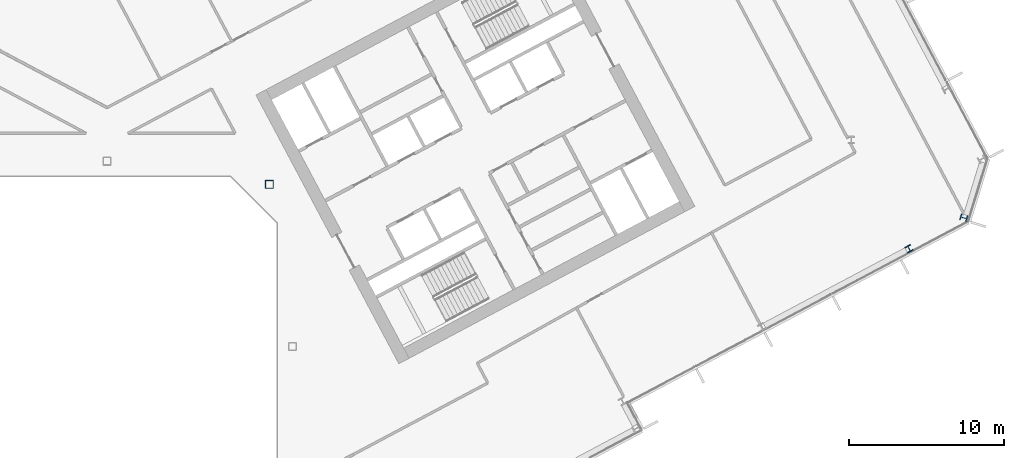
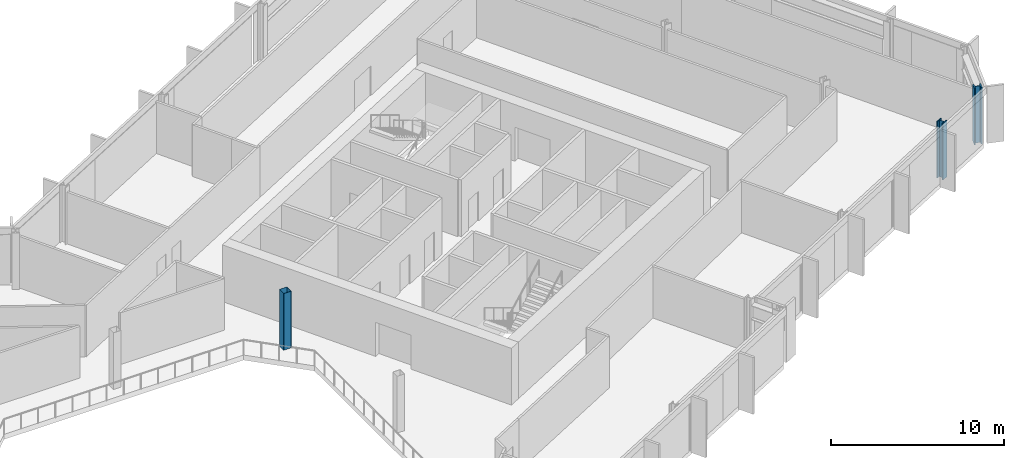
# One storey, part 6 of 28: 3 columns.
"""IFC4 building model written with IfcOpenShell, lengths in metres."""

from ifc_helpers import new_model, si_unit, direction, frame, origin, origin_2d, place, context, subcontext, project, spatial, hollow_rectangle, i_section, extrude, material, material_profile, profile_set, type_object, element, save


model = new_model("IFC4")

# Units and contexts
model_context = context("Model", 3, precision=1e-05, world=origin(), true_north=direction((0.0, 1.0)))
body_context = subcontext(model_context, "Body", "Model", "MODEL_VIEW")
ifc_project = project(units=[si_unit("LENGTHUNIT", "METRE"), si_unit("AREAUNIT", "SQUARE_METRE"), si_unit("VOLUMEUNIT", "CUBIC_METRE"), si_unit("PLANEANGLEUNIT", "RADIAN"), si_unit("MASSUNIT", "GRAM", prefix="KILO")], contexts=[model_context])

# Site, building, storey
site_placement = place(None, origin())
site = spatial("IfcSite", under=ifc_project, at=site_placement, CompositionType="ELEMENT")
building_placement = place(site_placement, origin())
building = spatial("IfcBuilding", under=site, at=building_placement, Name="Cormorant Relay Tower", CompositionType="ELEMENT")
storey_placement = place(building_placement, frame((0.0, 0.0, 126.199951171875)))
storey = spatial("IfcBuildingStorey", under=building, at=storey_placement, Name="L25", CompositionType="ELEMENT", Elevation=126.199951171875)

# Columns
ifc_material_1 = material(Name="Steel ASTM A500 Grade C (Fy 345 MPa)", Category="steel")
ifc_material_profile_1 = material_profile(ifc_material_1, hollow_rectangle(XDim=0.508056640625, YDim=0.508056640625, WallThickness=0.01171875, InnerFilletRadius=0.005859375, OuterFilletRadius=0.017822265625, at=origin_2d()), Name="HSS508x508x12")
ifc_profile_set_1 = profile_set([ifc_material_profile_1], Name="Steel ASTM A500 Grade C (Fy 345 MPa)")
column_type_1 = type_object("IfcColumnType", Name="Column HSS508x508x12", PredefinedType="COLUMN", material=ifc_profile_set_1)
column_1_placement = place(storey_placement, frame((10.5, 10.5, 0.0), z_axis=(0.0, 0.0, 1.0), x_axis=(1.0, 0.0, 0.0)))
element("IfcColumn", 1, at=column_1_placement, inside=storey, type_object=column_type_1, Name="Column L25-024", PredefinedType="COLUMN", context=body_context, shape_type="SweptSolid", body=[
    extrude(hollow_rectangle(XDim=0.508056640625, YDim=0.508056640625, WallThickness=0.01171875, InnerFilletRadius=0.005859375, OuterFilletRadius=0.017822265625, at=origin_2d()), origin(), (0.0, 0.0, 1.0), 4.0),
])
ifc_material_2 = material(Name="Steel ASTM A992 (Fy 345 MPa)", Category="steel")
ifc_material_profile_2 = material_profile(ifc_material_2, i_section(OverallWidth=0.41162109375, OverallDepth=0.434326171875, WebThickness=0.035888671875, FlangeThickness=0.057373046875, FilletRadius=0.01513671875, at=origin_2d()), Name="W360x463")
ifc_profile_set_2 = profile_set([ifc_material_profile_2], Name="Steel ASTM A992 (Fy 345 MPa)")
column_type_2 = type_object("IfcColumnType", Name="Column W360x463", PredefinedType="COLUMN", material=ifc_profile_set_2)
column_2_placement = place(storey_placement, frame((51.905029296875, 6.327880859375, 0.0), z_axis=(0.0, 0.0, 1.0), x_axis=(0.882947592859, 0.469471562786, 0.0)))
element("IfcColumn", 2, at=column_2_placement, inside=storey, type_object=column_type_2, Name="Column L25-020", PredefinedType="COLUMN", context=body_context, shape_type="SweptSolid", body=[
    extrude(i_section(OverallWidth=0.41162109375, OverallDepth=0.434326171875, WebThickness=0.035888671875, FlangeThickness=0.057373046875, FilletRadius=0.01513671875, at=origin_2d()), origin(), (0.0, 0.0, 1.0), 4.0),
])
ifc_material_3 = material(Name="Steel ASTM A992 (Fy 345 MPa)", Category="steel")
ifc_material_profile_3 = material_profile(ifc_material_3, i_section(OverallWidth=0.42431640625, OverallDepth=0.47509765625, WebThickness=0.0478515625, FlangeThickness=0.0771484375, FilletRadius=0.014892578125, at=origin_2d()), Name="W360x634")
ifc_profile_set_3 = profile_set([ifc_material_profile_3], Name="Steel ASTM A992 (Fy 345 MPa)")
column_type_3 = type_object("IfcColumnType", Name="Column W360x634", PredefinedType="COLUMN", material=ifc_profile_set_3)
column_3_placement = place(storey_placement, frame((55.446044921875, 8.3291015625, 0.0), z_axis=(0.0, 0.0, 1.0), x_axis=(0.292371704723, 0.956304755963, 0.0)))
element("IfcColumn", 3, at=column_3_placement, inside=storey, type_object=column_type_3, Name="Column L25-021", PredefinedType="COLUMN", context=body_context, shape_type="SweptSolid", body=[
    extrude(i_section(OverallWidth=0.42431640625, OverallDepth=0.47509765625, WebThickness=0.0478515625, FlangeThickness=0.0771484375, FilletRadius=0.014892578125, at=origin_2d()), origin(), (0.0, 0.0, 1.0), 4.0),
])

save(model, "model.ifc")
